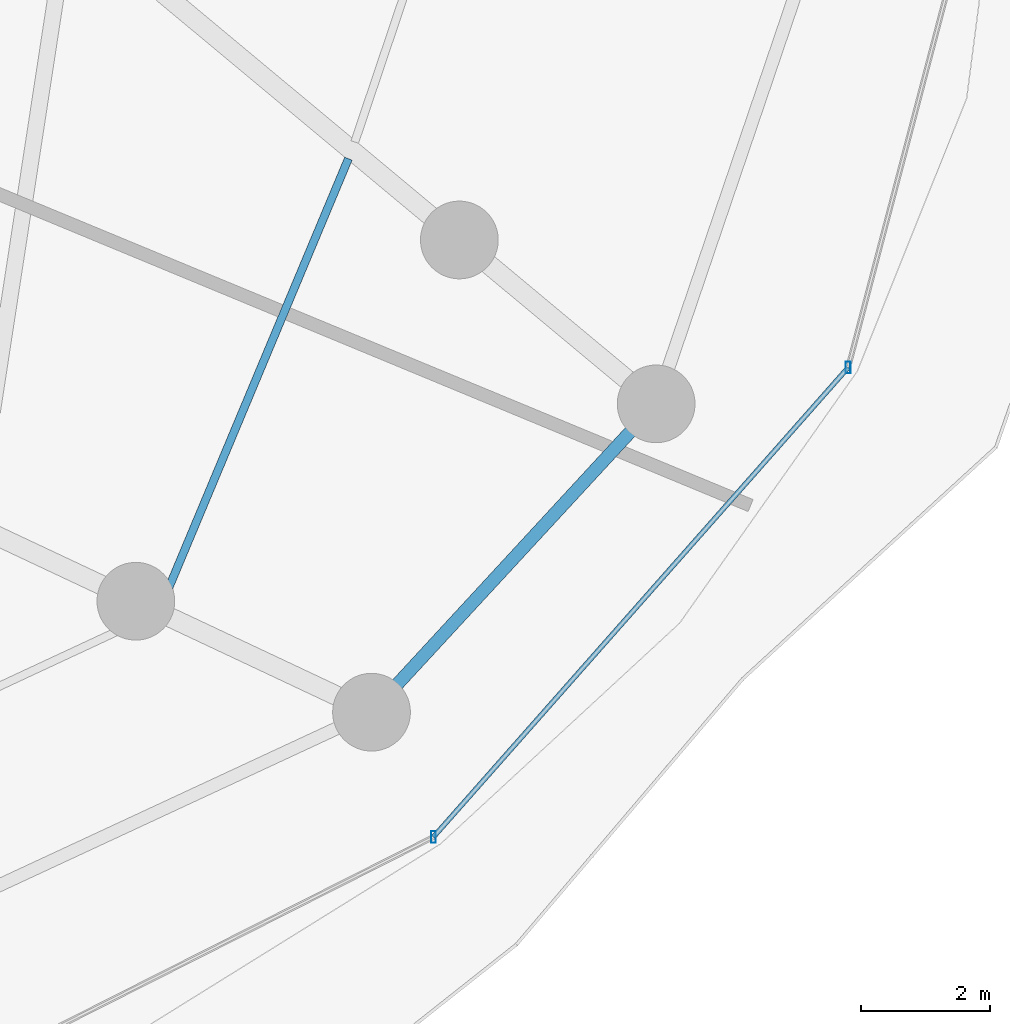
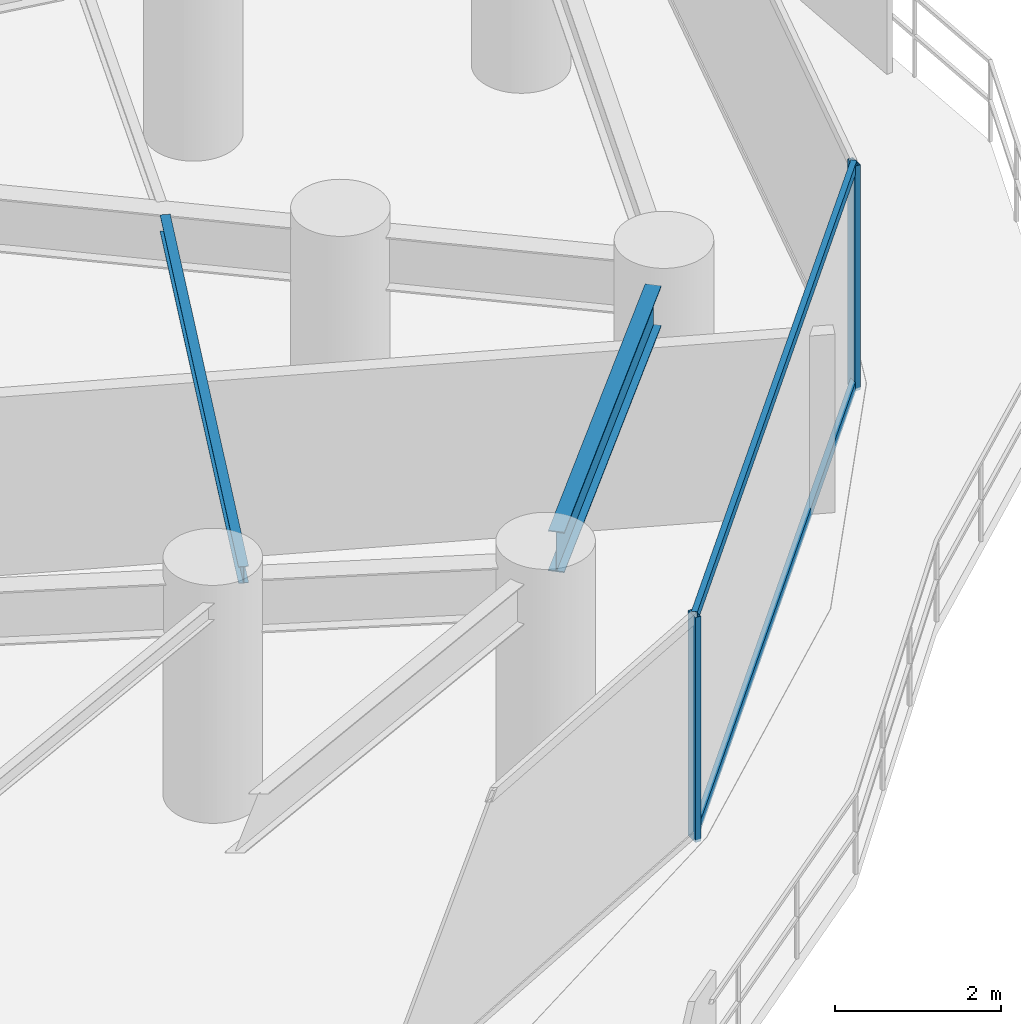
# One storey, part 14 of 35: 4 members, 2 beams, 1 element without a shape of its own.
"""IFC4 building model written with IfcOpenShell, lengths in metres."""

from ifc_helpers import new_model, si_unit, direction, frame, origin, origin_2d, place, context, subcontext, project, spatial, hollow_rectangle, i_section, extrude, material, material_profile, profile_set, type_object, element, aggregate, save


model = new_model("IFC4")

# Units and contexts
model_context = context("Model", 3, precision=1e-05, world=origin(), true_north=direction((0.0, 1.0)))
body_context = subcontext(model_context, "Body", "Model", "MODEL_VIEW")
ifc_project = project(units=[si_unit("LENGTHUNIT", "METRE"), si_unit("AREAUNIT", "SQUARE_METRE"), si_unit("VOLUMEUNIT", "CUBIC_METRE"), si_unit("PLANEANGLEUNIT", "RADIAN"), si_unit("MASSUNIT", "GRAM", prefix="KILO")], contexts=[model_context])

# Site, building, storey
site_placement = place(None, origin())
site = spatial("IfcSite", under=ifc_project, at=site_placement, CompositionType="ELEMENT")
building_placement = place(site_placement, origin())
building = spatial("IfcBuilding", under=site, at=building_placement, Name="Vorneva Point Tower", CompositionType="ELEMENT")
storey_placement = place(building_placement, frame((0.0, 0.0, 48.5)))
storey = spatial("IfcBuildingStorey", under=building, at=storey_placement, Name="L12", CompositionType="ELEMENT", Elevation=48.5)

# Beams
ifc_material_1 = material(Name="Steel S355", Category="steel")
ifc_material_profile_1 = material_profile(ifc_material_1, i_section(OverallWidth=0.1240234375, OverallDepth=0.248046875, WebThickness=0.0048828125, FlangeThickness=0.008056640625, at=origin_2d()), Name="25B1")
ifc_profile_set_1 = profile_set([ifc_material_profile_1], Name="Steel S355")
beam_type_1 = type_object("IfcBeamType", Name="BM-JST-25B1", PredefinedType="JOIST", material=ifc_profile_set_1)
beam_1_placement = place(storey_placement, frame((54.704833984375, 13.799072265625, 3.115966796875), z_axis=(0.386103727395, 0.922455371111, 0.0), x_axis=(-0.922455371111, 0.386103727395, 0.0)))
element("IfcBeam", 1, at=beam_1_placement, inside=storey, type_object=beam_type_1, Name="L12 Secondary Floor Beam 1.15", PredefinedType="JOIST", context=body_context, shape_type="SweptSolid", body=[
    extrude(i_section(OverallWidth=0.1240234375, OverallDepth=0.248046875, WebThickness=0.0048828125, FlangeThickness=0.008056640625, at=origin_2d()), origin(), (0.0, 0.0, 1.0), 7.451904296875),
])
ifc_material_profile_2 = material_profile(ifc_material_1, i_section(OverallWidth=0.198974609375, OverallDepth=0.595947265625, WebThickness=0.010009765625, FlangeThickness=0.014892578125, at=origin_2d()), Name="60B1")
ifc_profile_set_2 = profile_set([ifc_material_profile_2], Name="Steel S355")
beam_type_2 = type_object("IfcBeamType", Name="BM-SPN-60B1", PredefinedType="SPANDREL", material=ifc_profile_set_2)
beam_2_placement = place(storey_placement, frame((58.33544921875, 12.553955078125, 2.94189453125), z_axis=(0.678272466193, 0.734810493668, 0.0), x_axis=(-0.734810493668, 0.678272466193, 0.0)))
element("IfcBeam", 2, at=beam_2_placement, inside=storey, type_object=beam_type_2, Name="L12 Perimeter Spandrel Ring Beam 15", PredefinedType="SPANDREL", context=body_context, shape_type="SweptSolid", body=[
    extrude(i_section(OverallWidth=0.198974609375, OverallDepth=0.595947265625, WebThickness=0.010009765625, FlangeThickness=0.014892578125, at=origin_2d()), origin(), (0.0, 0.0, 1.0), 5.311279296875),
])

# Curtain wall, members
ifc_material_2 = material(Name="Pale anodised aluminium", Category="aluminium")
curtain_wall_type = type_object("IfcCurtainWallType", Name="CW-HTL-SYS", PredefinedType="NOTDEFINED", material=ifc_material_2)
curtain_wall_placement = place(storey_placement, origin())
curtain_wall = element("IfcCurtainWall", 3, at=curtain_wall_placement, inside=storey, type_object=curtain_wall_type, Name="L12 Unitised Curtain Wall CW-L12-R01", PredefinedType="NOTDEFINED")
ifc_material_profile_3 = material_profile(ifc_material_2, hollow_rectangle(XDim=0.074951171875, YDim=0.179931640625, WallThickness=0.00390625, at=origin_2d()), Name="AL-MUL 180x75x4")
ifc_profile_set_3 = profile_set([ifc_material_profile_3], Name="Pale anodised aluminium")
member_type_1 = type_object("IfcMemberType", Name="CW-MUL-180", PredefinedType="MULLION", material=ifc_profile_set_3)
member_1_placement = place(storey_placement, frame((58.89501953125, 10.1962890625, -0.0400390625), z_axis=(0.0, 0.0, 1.0), x_axis=(1.0, 0.0, 0.0)))
member_1 = element("IfcMember", 4, at=member_1_placement, type_object=member_type_1, Name="CW-L12-R01 Mullion 02", PredefinedType="MULLION", context=body_context, shape_type="SweptSolid", body=[
    extrude(hollow_rectangle(XDim=0.074951171875, YDim=0.179931640625, WallThickness=0.00390625, at=origin_2d()), origin(), (0.0, 0.0, 1.0), 3.31005859375),
])
member_2_placement = place(storey_placement, frame((65.300537109375, 17.447021484375, -0.0400390625), z_axis=(0.0, 0.0, 1.0), x_axis=(1.0, 0.0, 0.0)))
member_2 = element("IfcMember", 5, at=member_2_placement, type_object=member_type_1, Name="CW-L12-R01 Mullion 03", PredefinedType="MULLION", context=body_context, shape_type="SweptSolid", body=[
    extrude(hollow_rectangle(XDim=0.074951171875, YDim=0.179931640625, WallThickness=0.00390625, at=origin_2d()), origin(), (0.0, 0.0, 1.0), 3.31005859375),
])
ifc_material_profile_4 = material_profile(ifc_material_2, hollow_rectangle(XDim=0.074951171875, YDim=0.14990234375, WallThickness=0.00390625, at=origin_2d()), Name="AL-TRN 150x75x4")
ifc_profile_set_4 = profile_set([ifc_material_profile_4], Name="Pale anodised aluminium")
member_type_2 = type_object("IfcMemberType", Name="CW-TRN-150", PredefinedType="USERDEFINED", material=ifc_profile_set_4)
member_3_placement = place(storey_placement, frame((58.89501953125, 10.1962890625, 0.02001953125), z_axis=(0.662075539029, 0.749437109182, 0.0), x_axis=(-0.749437109182, 0.662075539029, 0.0)))
member_3 = element("IfcMember", 6, at=member_3_placement, type_object=member_type_2, Name="CW-L12-R01 Transom 02.1", ObjectType="TRANSOM", PredefinedType="USERDEFINED", context=body_context, shape_type="SweptSolid", body=[
    extrude(hollow_rectangle(XDim=0.074951171875, YDim=0.14990234375, WallThickness=0.00390625, at=origin_2d()), origin(), (0.0, 0.0, 1.0), 9.6748046875),
])
member_4_placement = place(storey_placement, frame((58.89501953125, 10.1962890625, 3.219970703125), z_axis=(0.662075539029, 0.749437109182, 0.0), x_axis=(-0.749437109182, 0.662075539029, 0.0)))
member_4 = element("IfcMember", 7, at=member_4_placement, type_object=member_type_2, Name="CW-L12-R01 Transom 02.2", ObjectType="TRANSOM", PredefinedType="USERDEFINED", context=body_context, shape_type="SweptSolid", body=[
    extrude(hollow_rectangle(XDim=0.074951171875, YDim=0.14990234375, WallThickness=0.00390625, at=origin_2d()), origin(), (0.0, 0.0, 1.0), 9.6748046875),
])
aggregate(curtain_wall, [member_1, member_2, member_3, member_4])

save(model, "model.ifc")
